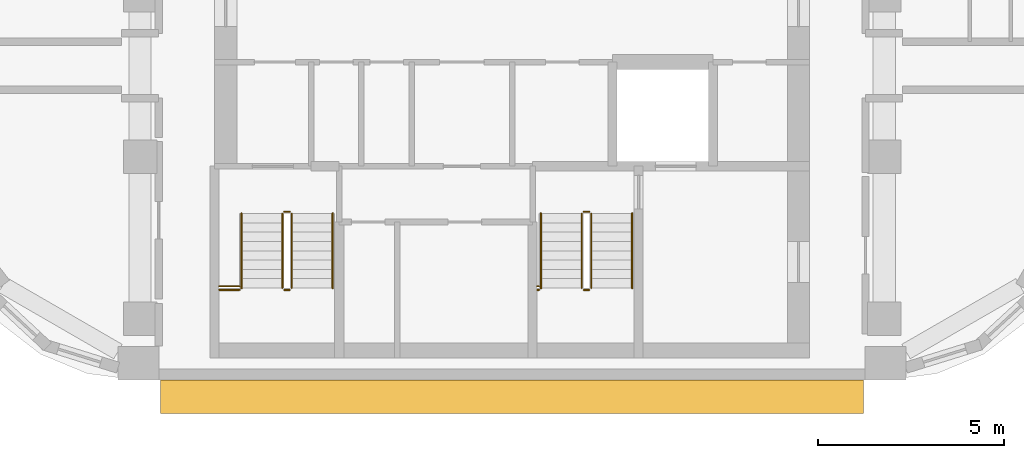
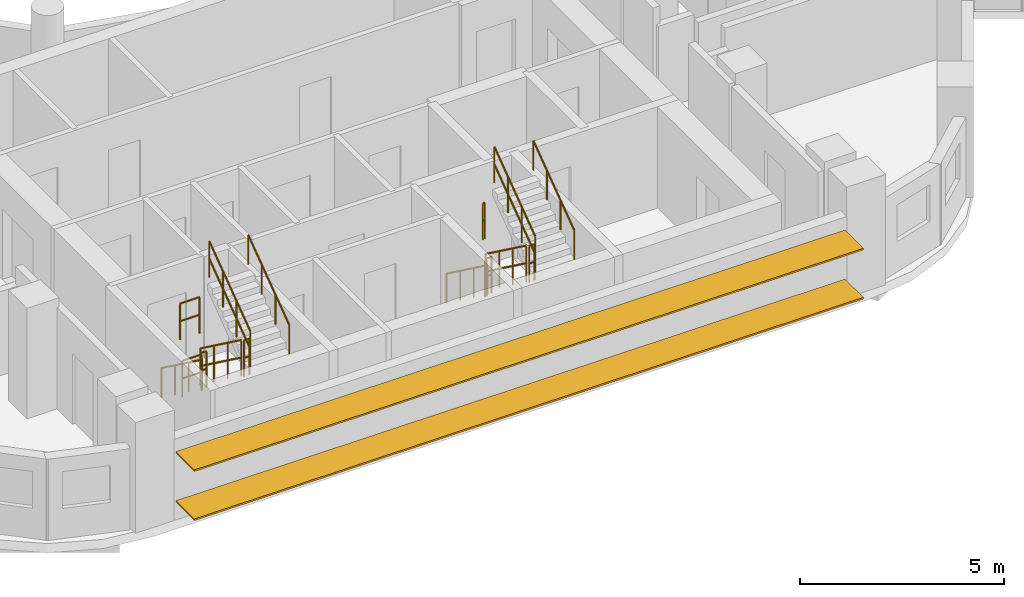
# One storey, part 12 of 14: 16 railings, 2 shading devices.
"""IFC4 building model written with IfcOpenShell, lengths in metres."""

import ifcopenshell
import ifcopenshell.guid

model = None  # the IFC model being written
_history = None  # IfcOwnerHistory: only IFC2X3 demands one
_inside = {}  # id of a spatial element -> (the spatial element, [elements in it])
_under = {}  # id of a project, library or spatial element -> (it, [spatial elements below it])
_declared = {}  # id of a project -> (the project, [libraries it declares])
_typed = {}  # id of a type object -> (the type object, [elements of that type])
_made_of = {}  # id of a material, layer set ... -> (it, [elements and type objects made of it])


def new_model(schema):
    """Start an empty IFC model of exactly this schema.

    Asked for "IFC4X3", IfcOpenShell would pick the latest addendum, in which some entities
    have other attributes; the version numbers below select the first issue.
    IFC2X3 requires an IfcOwnerHistory on every rooted entity: one is made here for all.
    """
    global model, _history
    if schema == "IFC4X3":
        model = ifcopenshell.file(schema_version=(4, 3, 0, 0))
    else:
        model = ifcopenshell.file(schema=schema)
    _inside.clear()
    _under.clear()
    _declared.clear()
    _typed.clear()
    _made_of.clear()
    _history = None
    if model.schema == "IFC2X3":
        org = make("IfcOrganization", Name="unknown")
        user = make(
            "IfcPersonAndOrganization",
            ThePerson=make("IfcPerson", FamilyName="unknown"),
            TheOrganization=org,
        )
        app = make(
            "IfcApplication",
            ApplicationDeveloper=org,
            Version="unknown",
            ApplicationFullName="unknown",
            ApplicationIdentifier="unknown",
        )
        _history = make(
            "IfcOwnerHistory",
            OwningUser=user,
            OwningApplication=app,
            ChangeAction="ADDED",
            CreationDate=0,
        )
    return model


def make(cls, **values):
    """One entity of the class cls with the attributes given. An attribute that is None is left unset."""
    return model.create_entity(
        cls, **{name: value for name, value in values.items() if value is not None}
    )


def rooted(cls, **values):
    """An entity with a GlobalId (a new one), such as an element, a storey or a relation."""
    return make(cls, GlobalId=ifcopenshell.guid.new(), OwnerHistory=_history, **values)


def si_unit(unit_type, name, prefix=None):
    """IfcSIUnit, for example si_unit("LENGTHUNIT", "METRE", prefix="MILLI")."""
    return make("IfcSIUnit", UnitType=unit_type, Prefix=prefix, Name=name)


def assignment(units):
    """IfcUnitAssignment: the units of a project."""
    return None if units is None else make("IfcUnitAssignment", Units=units)


def point(xyz):
    """IfcCartesianPoint."""
    return None if xyz is None else make("IfcCartesianPoint", Coordinates=xyz)


def direction(xyz):
    """IfcDirection."""
    return None if xyz is None else make("IfcDirection", DirectionRatios=xyz)


def frame(location, z_axis=None, x_axis=None):
    """IfcAxis2Placement3D, a coordinate frame: its origin and axes. An axis left out is left unset."""
    return make(
        "IfcAxis2Placement3D",
        Location=point(location),
        Axis=direction(z_axis),
        RefDirection=direction(x_axis),
    )


def frame_2d(location, x_axis=None):
    """IfcAxis2Placement2D, a coordinate frame in the plane: its origin and x axis."""
    return make(
        "IfcAxis2Placement2D", Location=point(location), RefDirection=direction(x_axis)
    )


def origin():
    """The frame at (0, 0, 0) with its axes left unset."""
    return frame((0.0, 0.0, 0.0))


def origin_2d():
    """The frame at (0, 0) in the plane with its x axis left unset."""
    return frame_2d((0.0, 0.0))


def place(relative_to, where):
    """IfcLocalPlacement: puts the frame where relative to a parent placement (None: the world)."""
    return make(
        "IfcLocalPlacement", PlacementRelTo=relative_to, RelativePlacement=where
    )


def context(
    kind, dimensions, precision=None, world=None, true_north=None, identifier=None
):
    """IfcGeometricRepresentationContext, for example the 3D "Model" context."""
    return make(
        "IfcGeometricRepresentationContext",
        ContextIdentifier=identifier,
        ContextType=kind,
        CoordinateSpaceDimension=dimensions,
        Precision=precision,
        WorldCoordinateSystem=world,
        TrueNorth=true_north,
    )


def subcontext(parent, identifier, kind, view, scale=None):
    """IfcGeometricRepresentationSubContext, for example "Body" below "Model"."""
    return make(
        "IfcGeometricRepresentationSubContext",
        ContextIdentifier=identifier,
        ContextType=kind,
        ParentContext=parent,
        TargetScale=scale,
        TargetView=view,
    )


def project(units=None, contexts=None):
    """IfcProject with its units and contexts."""
    return rooted(
        "IfcProject",
        Name="project",
        RepresentationContexts=contexts,
        UnitsInContext=assignment(units),
    )


def spatial(cls, under=None, at=None, **own):
    """A site, building, storey or space (cls), placed at a placement, below another one or the project."""
    s = rooted(cls, ObjectPlacement=at, **own)
    if under is not None:
        _under.setdefault(under.id(), (under, []))[1].append(s)
    return s


def profile(cls, at=None, kind="AREA", **sizes):
    """A parametric profile (cls). Its sizes go by their IFC names, for example OverallWidth=200.0."""
    return make(cls, ProfileType=kind, Position=at, **sizes)


def rectangle(**sizes):
    """IfcRectangleProfileDef."""
    return profile("IfcRectangleProfileDef", **sizes)


def circle(**sizes):
    """IfcCircleProfileDef."""
    return profile("IfcCircleProfileDef", **sizes)


def extrude(swept, where, along, depth):
    """IfcExtrudedAreaSolid: the profile swept, set in the frame where, extruded along a direction by depth."""
    return make(
        "IfcExtrudedAreaSolid",
        SweptArea=swept,
        Position=where,
        ExtrudedDirection=direction(along),
        Depth=depth,
    )


def shape(context_of_items, identifier, shape_type, items):
    """IfcShapeRepresentation: the items that make up one representation, for example the "Body"."""
    return make(
        "IfcShapeRepresentation",
        ContextOfItems=context_of_items,
        RepresentationIdentifier=identifier,
        RepresentationType=shape_type,
        Items=items,
    )


def material(Name=None, Category=None):
    """IfcMaterial."""
    return make("IfcMaterial", Name=Name, Category=Category)


def material_profile(
    of_material, cross_section, Name=None, Category=None, Priority=None
):
    """IfcMaterialProfile: a cross section and its material."""
    return make(
        "IfcMaterialProfile",
        Name=Name,
        Material=of_material,
        Profile=cross_section,
        Priority=Priority,
        Category=Category,
    )


def profile_set(profiles, Name=None, composite=None):
    """IfcMaterialProfileSet."""
    return make(
        "IfcMaterialProfileSet",
        Name=Name,
        MaterialProfiles=profiles,
        CompositeProfile=composite,
    )


def made_of(thing, what):
    """Note that an element or type object is made of a material, layer set ...; save() writes the relation."""
    if what is not None:
        _made_of.setdefault(what.id(), (what, []))[1].append(thing)
    return thing


def type_object(cls, material=None, **own):
    """A type object (cls), such as IfcWallType, which elements share."""
    return made_of(rooted(cls, **own), material)


def element(
    cls,
    number,
    at=None,
    inside=None,
    cuts=None,
    type_object=None,
    material=None,
    context=None,
    identifier="Body",
    shape_type=None,
    held_by="IfcProductDefinitionShape",
    body=None,
    shapes=None,
    **own,
):
    """One element of the class cls, such as IfcWall. Its Tag is "e" and its number.

    at: its placement. inside: the storey or other place that contains it. cuts: it is an
    opening in that element (IfcRelVoidsElement). A single representation is given by context,
    identifier, shape_type and body (its items); several are given by shapes. held_by: the class
    of the entity that holds the representations. save() writes the other relations.
    """
    e = rooted(cls, Tag="e%d" % number, ObjectPlacement=at, **own)
    if body is not None:
        shapes = [shape(context, identifier, shape_type, body)]
    if shapes is not None:
        e.Representation = make(held_by, Representations=shapes)
    if inside is not None:
        _inside.setdefault(inside.id(), (inside, []))[1].append(e)
    if cuts is not None:
        rooted(
            "IfcRelVoidsElement", RelatingBuildingElement=cuts, RelatedOpeningElement=e
        )
    if type_object is not None:
        _typed.setdefault(type_object.id(), (type_object, []))[1].append(e)
    return made_of(e, material)


def aggregate(whole, parts):
    """IfcRelAggregates: a whole, such as a stair, and the parts it consists of."""
    return rooted("IfcRelAggregates", RelatingObject=whole, RelatedObjects=parts)


def save(model, path):
    """Write the relations noted so far, then the file.

    IfcRelAggregates (storeys below a building ...), IfcRelContainedInSpatialStructure (elements
    in a storey), IfcRelDefinesByType, IfcRelAssociatesMaterial and IfcRelDeclares: one each for
    every whole, place, type object, material and project.
    """
    for whole, parts in _under.values():
        aggregate(whole, parts)
    for where, things in _inside.values():
        rooted(
            "IfcRelContainedInSpatialStructure",
            RelatedElements=things,
            RelatingStructure=where,
        )
    for kind, things in _typed.values():
        rooted("IfcRelDefinesByType", RelatedObjects=things, RelatingType=kind)
    for what, things in _made_of.values():
        rooted("IfcRelAssociatesMaterial", RelatedObjects=things, RelatingMaterial=what)
    for by, libraries in _declared.values():
        rooted("IfcRelDeclares", RelatingContext=by, RelatedDefinitions=libraries)
    model.write(path)


model = new_model("IFC4")

# Units and contexts
model_context = context("Model", 3, precision=1e-05, world=origin(), true_north=direction((0.0, 1.0)))
body_context = subcontext(model_context, "Body", "Model", "MODEL_VIEW")
ifc_project = project(units=[si_unit("LENGTHUNIT", "METRE"), si_unit("AREAUNIT", "SQUARE_METRE"), si_unit("VOLUMEUNIT", "CUBIC_METRE"), si_unit("PLANEANGLEUNIT", "RADIAN"), si_unit("MASSUNIT", "GRAM", prefix="KILO")], contexts=[model_context])

# Site, building, storey
site_placement = place(None, origin())
site = spatial("IfcSite", under=ifc_project, at=site_placement, CompositionType="ELEMENT")
building_placement = place(site_placement, origin())
building = spatial("IfcBuilding", under=site, at=building_placement, Name="Nakaniwa Court", CompositionType="ELEMENT")
storey_placement = place(building_placement, frame((0.0, 0.0, 262.5)))
storey = spatial("IfcBuildingStorey", under=building, at=storey_placement, Name="L69", CompositionType="ELEMENT", Elevation=262.5)

# Shading devices
ifc_material_1 = material(Name="Perforated charcoal ceramic louvre blade")
ifc_material_profile = material_profile(ifc_material_1, rectangle(XDim=0.89990234375, YDim=0.050048828125, at=origin_2d()), Name="Perforated ceramic louvre blade")
ifc_profile_set = profile_set([ifc_material_profile], Name="Perforated charcoal ceramic louvre blade")
shading_device_type = type_object("IfcShadingDeviceType", Name="Perforated ceramic louvre blade", PredefinedType="JALOUSIE", material=ifc_profile_set)
for number, where, z_axis, x_axis, name in (
    (1, (70.55078125, 56.89990234375, 0.550048828125), (1.0, 0.0, 0.0), (0.0, 1.0, 0.0), "L69 perforated ceramic louvre blade w26 1"),
    (2, (70.55078125, 56.89990234375, 2.014892578125), (1.0, 0.0, 0.0), (0.0, 1.0, 0.0), "L69 perforated ceramic louvre blade w26 2"),
):
    element("IfcShadingDevice", number, at=place(storey_placement, frame(where, z_axis=z_axis, x_axis=x_axis)), inside=storey, type_object=shading_device_type, Name=name, PredefinedType="JALOUSIE", context=body_context, shape_type="SweptSolid", body=[
        extrude(rectangle(XDim=0.89990234375, YDim=0.050048828125, at=origin_2d()), origin(), (0.0, 0.0, 1.0), 18.892822265625),
    ])

# Railings
ifc_material_2 = material(Name="Black powder coated steel guard", Category="steel")
railing_type_1 = type_object("IfcRailingType", Name="Stair guard 1100", PredefinedType="GUARDRAIL", material=ifc_material_2)
railing_1_placement = place(storey_placement, frame((73.824951171875, 61.824951171875, 0.183349609375)))
element("IfcRailing", 3, at=railing_1_placement, inside=storey, type_object=railing_type_1, Name="L69 ST3 stair guard 1", PredefinedType="GUARDRAIL", context=body_context, shape_type="SweptSolid", body=[
    extrude(circle(Radius=0.02392578125, at=origin_2d()), frame((0.0, 0.0, 1.076171875), z_axis=(0.0, -0.806426902644, 0.591333789573), x_axis=(1.0, 0.0, 0.0)), (0.0, 0.0, 1.0), 2.47998046875),
    extrude(circle(Radius=0.02392578125, at=origin_2d()), frame((0.0, 0.0, 0.550048828125), z_axis=(0.0, -0.806426902644, 0.591333789573), x_axis=(1.0, 0.0, 0.0)), (0.0, 0.0, 1.0), 2.47998046875),
    extrude(circle(Radius=0.02099609375, at=origin_2d()), origin(), (0.0, 0.0, 1.0), 1.052001953125),
    extrude(circle(Radius=0.02099609375, at=origin_2d()), frame((0.0, -0.666748046875, 0.48876953125)), (0.0, 0.0, 1.0), 1.052001953125),
    extrude(circle(Radius=0.02099609375, at=origin_2d()), frame((0.0, -1.333251953125, 0.977783203125)), (0.0, 0.0, 1.0), 1.052001953125),
    extrude(circle(Radius=0.02099609375, at=origin_2d()), frame((0.0, -2.0, 1.466552734375)), (0.0, 0.0, 1.0), 1.052001953125),
])
railing_2_placement = place(storey_placement, frame((73.875, 59.77490234375, 1.64990234375)))
element("IfcRailing", 4, at=railing_2_placement, inside=storey, type_object=railing_type_1, Name="L69 ST3 stair guard 2", PredefinedType="GUARDRAIL", context=body_context, shape_type="SweptSolid", body=[
    extrude(circle(Radius=0.02392578125, at=origin_2d()), frame((0.0, 0.0, 1.076171875), z_axis=(1.0, 0.0, 0.0), x_axis=(0.0, 1.0, 0.0)), (0.0, 0.0, 1.0), 0.14990234375),
    extrude(circle(Radius=0.02392578125, at=origin_2d()), frame((0.0, 0.0, 0.550048828125), z_axis=(1.0, 0.0, 0.0), x_axis=(0.0, 1.0, 0.0)), (0.0, 0.0, 1.0), 0.14990234375),
    extrude(circle(Radius=0.02099609375, at=origin_2d()), origin(), (0.0, 0.0, 1.0), 1.052001953125),
    extrude(circle(Radius=0.02099609375, at=origin_2d()), frame((0.14990234375, 0.0, 0.0)), (0.0, 0.0, 1.0), 1.052001953125),
])
railing_3_placement = place(storey_placement, frame((74.074951171875, 59.824951171875, 1.833251953125)))
element("IfcRailing", 5, at=railing_3_placement, inside=storey, type_object=railing_type_1, Name="L69 ST3 stair guard 3", PredefinedType="GUARDRAIL", context=body_context, shape_type="SweptSolid", body=[
    extrude(circle(Radius=0.02392578125, at=origin_2d()), frame((0.0, 0.0, 1.076171875), z_axis=(0.0, 0.806379959628, 0.591397802423), x_axis=(-1.0, 0.0, 0.0)), (0.0, 0.0, 1.0), 2.480224609375),
    extrude(circle(Radius=0.02392578125, at=origin_2d()), frame((0.0, 0.0, 0.550048828125), z_axis=(0.0, 0.806379959628, 0.591397802423), x_axis=(-1.0, 0.0, 0.0)), (0.0, 0.0, 1.0), 2.480224609375),
    extrude(circle(Radius=0.02099609375, at=origin_2d()), origin(), (0.0, 0.0, 1.0), 1.052001953125),
    extrude(circle(Radius=0.02099609375, at=origin_2d()), frame((0.0, 0.666748046875, 0.489013671875)), (0.0, 0.0, 1.0), 1.052001953125),
    extrude(circle(Radius=0.02099609375, at=origin_2d()), frame((0.0, 1.333251953125, 0.977783203125)), (0.0, 0.0, 1.0), 1.052001953125),
    extrude(circle(Radius=0.02099609375, at=origin_2d()), frame((0.0, 2.0, 1.466796875)), (0.0, 0.0, 1.0), 1.052001953125),
])
railing_4_placement = place(storey_placement, frame((73.875, 61.875, 0.0)))
element("IfcRailing", 6, at=railing_4_placement, inside=storey, type_object=railing_type_1, Name="L69 ST3 stair guard 4", PredefinedType="GUARDRAIL", context=body_context, shape_type="SweptSolid", body=[
    extrude(circle(Radius=0.02392578125, at=origin_2d()), frame((0.0, 0.0, 1.076171875), z_axis=(1.0, 0.0, 0.0), x_axis=(0.0, 1.0, 0.0)), (0.0, 0.0, 1.0), 0.14990234375),
    extrude(circle(Radius=0.02392578125, at=origin_2d()), frame((0.0, 0.0, 0.550048828125), z_axis=(1.0, 0.0, 0.0), x_axis=(0.0, 1.0, 0.0)), (0.0, 0.0, 1.0), 0.14990234375),
    extrude(circle(Radius=0.02099609375, at=origin_2d()), origin(), (0.0, 0.0, 1.0), 1.052001953125),
    extrude(circle(Radius=0.02099609375, at=origin_2d()), frame((0.14990234375, 0.0, 0.0)), (0.0, 0.0, 1.0), 1.052001953125),
])
for number, where, name in (
    (7, (72.125, 59.77490234375, 1.64990234375), "L69 ST3 landing side guard 1W"),
    (8, (72.125, 59.875, 3.300048828125), "L69 ST3 floor edge guard 1W"),
):
    element("IfcRailing", number, at=place(storey_placement, frame(where)), inside=storey, type_object=railing_type_1, Name=name, PredefinedType="GUARDRAIL", context=body_context, shape_type="SweptSolid", body=[
        extrude(circle(Radius=0.02392578125, at=origin_2d()), frame((0.0, 0.0, 1.076171875), z_axis=(1.0, 0.0, 0.0), x_axis=(0.0, 1.0, 0.0)), (0.0, 0.0, 1.0), 0.550048828125),
        extrude(circle(Radius=0.02392578125, at=origin_2d()), frame((0.0, 0.0, 0.550048828125), z_axis=(1.0, 0.0, 0.0), x_axis=(0.0, 1.0, 0.0)), (0.0, 0.0, 1.0), 0.550048828125),
        extrude(circle(Radius=0.02099609375, at=origin_2d()), origin(), (0.0, 0.0, 1.0), 1.052001953125),
        extrude(circle(Radius=0.02099609375, at=origin_2d()), frame((0.550048828125, 0.0, 0.0)), (0.0, 0.0, 1.0), 1.052001953125),
    ])
railing_5_placement = place(storey_placement, frame((81.875, 61.824951171875, 0.183349609375)))
element("IfcRailing", 9, at=railing_5_placement, inside=storey, type_object=railing_type_1, Name="L69 ST4 stair guard 1", PredefinedType="GUARDRAIL", context=body_context, shape_type="SweptSolid", body=[
    extrude(circle(Radius=0.02392578125, at=origin_2d()), frame((0.0, 0.0, 1.076171875), z_axis=(0.0, -0.806426902644, 0.591333789573), x_axis=(1.0, 0.0, 0.0)), (0.0, 0.0, 1.0), 2.47998046875),
    extrude(circle(Radius=0.02392578125, at=origin_2d()), frame((0.0, 0.0, 0.550048828125), z_axis=(0.0, -0.806426902644, 0.591333789573), x_axis=(1.0, 0.0, 0.0)), (0.0, 0.0, 1.0), 2.47998046875),
    extrude(circle(Radius=0.02099609375, at=origin_2d()), origin(), (0.0, 0.0, 1.0), 1.052001953125),
    extrude(circle(Radius=0.02099609375, at=origin_2d()), frame((0.0, -0.666748046875, 0.48876953125)), (0.0, 0.0, 1.0), 1.052001953125),
    extrude(circle(Radius=0.02099609375, at=origin_2d()), frame((0.0, -1.333251953125, 0.977783203125)), (0.0, 0.0, 1.0), 1.052001953125),
    extrude(circle(Radius=0.02099609375, at=origin_2d()), frame((0.0, -2.0, 1.466552734375)), (0.0, 0.0, 1.0), 1.052001953125),
])
railing_6_placement = place(storey_placement, frame((81.925048828125, 59.77490234375, 1.64990234375)))
element("IfcRailing", 10, at=railing_6_placement, inside=storey, type_object=railing_type_1, Name="L69 ST4 stair guard 2", PredefinedType="GUARDRAIL", context=body_context, shape_type="SweptSolid", body=[
    extrude(circle(Radius=0.02392578125, at=origin_2d()), frame((0.0, 0.0, 1.076171875), z_axis=(1.0, 0.0, 0.0), x_axis=(0.0, 1.0, 0.0)), (0.0, 0.0, 1.0), 0.14990234375),
    extrude(circle(Radius=0.02392578125, at=origin_2d()), frame((0.0, 0.0, 0.550048828125), z_axis=(1.0, 0.0, 0.0), x_axis=(0.0, 1.0, 0.0)), (0.0, 0.0, 1.0), 0.14990234375),
    extrude(circle(Radius=0.02099609375, at=origin_2d()), origin(), (0.0, 0.0, 1.0), 1.052001953125),
    extrude(circle(Radius=0.02099609375, at=origin_2d()), frame((0.14990234375, 0.0, 0.0)), (0.0, 0.0, 1.0), 1.052001953125),
])
railing_7_placement = place(storey_placement, frame((82.125, 59.824951171875, 1.833251953125)))
element("IfcRailing", 11, at=railing_7_placement, inside=storey, type_object=railing_type_1, Name="L69 ST4 stair guard 3", PredefinedType="GUARDRAIL", context=body_context, shape_type="SweptSolid", body=[
    extrude(circle(Radius=0.02392578125, at=origin_2d()), frame((0.0, 0.0, 1.076171875), z_axis=(0.0, 0.806379959628, 0.591397802423), x_axis=(-1.0, 0.0, 0.0)), (0.0, 0.0, 1.0), 2.480224609375),
    extrude(circle(Radius=0.02392578125, at=origin_2d()), frame((0.0, 0.0, 0.550048828125), z_axis=(0.0, 0.806379959628, 0.591397802423), x_axis=(-1.0, 0.0, 0.0)), (0.0, 0.0, 1.0), 2.480224609375),
    extrude(circle(Radius=0.02099609375, at=origin_2d()), origin(), (0.0, 0.0, 1.0), 1.052001953125),
    extrude(circle(Radius=0.02099609375, at=origin_2d()), frame((0.0, 0.666748046875, 0.489013671875)), (0.0, 0.0, 1.0), 1.052001953125),
    extrude(circle(Radius=0.02099609375, at=origin_2d()), frame((0.0, 1.333251953125, 0.977783203125)), (0.0, 0.0, 1.0), 1.052001953125),
    extrude(circle(Radius=0.02099609375, at=origin_2d()), frame((0.0, 2.0, 1.466796875)), (0.0, 0.0, 1.0), 1.052001953125),
])
railing_8_placement = place(storey_placement, frame((81.925048828125, 61.875, 0.0)))
element("IfcRailing", 12, at=railing_8_placement, inside=storey, type_object=railing_type_1, Name="L69 ST4 stair guard 4", PredefinedType="GUARDRAIL", context=body_context, shape_type="SweptSolid", body=[
    extrude(circle(Radius=0.02392578125, at=origin_2d()), frame((0.0, 0.0, 1.076171875), z_axis=(1.0, 0.0, 0.0), x_axis=(0.0, 1.0, 0.0)), (0.0, 0.0, 1.0), 0.14990234375),
    extrude(circle(Radius=0.02392578125, at=origin_2d()), frame((0.0, 0.0, 0.550048828125), z_axis=(1.0, 0.0, 0.0), x_axis=(0.0, 1.0, 0.0)), (0.0, 0.0, 1.0), 0.14990234375),
    extrude(circle(Radius=0.02099609375, at=origin_2d()), origin(), (0.0, 0.0, 1.0), 1.052001953125),
    extrude(circle(Radius=0.02099609375, at=origin_2d()), frame((0.14990234375, 0.0, 0.0)), (0.0, 0.0, 1.0), 1.052001953125),
])
for number, where, name in (
    (13, (80.675048828125, 59.77490234375, 1.64990234375), "L69 ST4 landing side guard 1W"),
    (14, (80.675048828125, 59.875, 3.300048828125), "L69 ST4 floor edge guard 1W"),
):
    element("IfcRailing", number, at=place(storey_placement, frame(where)), inside=storey, type_object=railing_type_1, Name=name, PredefinedType="GUARDRAIL", context=body_context, shape_type="SweptSolid", body=[
        extrude(circle(Radius=0.02392578125, at=origin_2d()), frame((0.0, 0.0, 1.076171875), z_axis=(1.0, 0.0, 0.0), x_axis=(0.0, 1.0, 0.0)), (0.0, 0.0, 1.0), 0.050048828125),
        extrude(circle(Radius=0.02392578125, at=origin_2d()), frame((0.0, 0.0, 0.550048828125), z_axis=(1.0, 0.0, 0.0), x_axis=(0.0, 1.0, 0.0)), (0.0, 0.0, 1.0), 0.050048828125),
        extrude(circle(Radius=0.02099609375, at=origin_2d()), origin(), (0.0, 0.0, 1.0), 1.052001953125),
        extrude(circle(Radius=0.02099609375, at=origin_2d()), frame((0.050048828125, 0.0, 0.0)), (0.0, 0.0, 1.0), 1.052001953125),
    ])
ifc_material_3 = material(Name="Black powder coated steel handrail", Category="steel")
railing_type_2 = type_object("IfcRailingType", Name="Stair handrail 900", PredefinedType="HANDRAIL", material=ifc_material_3)
railing_9_placement = place(storey_placement, frame((72.72509765625, 61.824951171875, 0.183349609375)))
element("IfcRailing", 15, at=railing_9_placement, inside=storey, type_object=railing_type_2, Name="L69 ST3 stair handrail 1", PredefinedType="HANDRAIL", context=body_context, shape_type="SweptSolid", body=[
    extrude(circle(Radius=0.02392578125, at=origin_2d()), frame((0.0, 0.0, 0.8759765625), z_axis=(0.0, -0.806426902644, 0.591333789573), x_axis=(1.0, 0.0, 0.0)), (0.0, 0.0, 1.0), 2.47998046875),
    extrude(circle(Radius=0.02099609375, at=origin_2d()), origin(), (0.0, 0.0, 1.0), 0.851806640625),
    extrude(circle(Radius=0.02099609375, at=origin_2d()), frame((0.0, -0.666748046875, 0.48876953125)), (0.0, 0.0, 1.0), 0.851806640625),
    extrude(circle(Radius=0.02099609375, at=origin_2d()), frame((0.0, -1.333251953125, 0.977783203125)), (0.0, 0.0, 1.0), 0.851806640625),
    extrude(circle(Radius=0.02099609375, at=origin_2d()), frame((0.0, -2.0, 1.466552734375)), (0.0, 0.0, 1.0), 0.851806640625),
])
railing_10_placement = place(storey_placement, frame((75.175048828125, 59.824951171875, 1.833251953125)))
element("IfcRailing", 16, at=railing_10_placement, inside=storey, type_object=railing_type_2, Name="L69 ST3 stair handrail 2", PredefinedType="HANDRAIL", context=body_context, shape_type="SweptSolid", body=[
    extrude(circle(Radius=0.02392578125, at=origin_2d()), frame((0.0, 0.0, 0.8759765625), z_axis=(0.0, 0.806379959628, 0.591397802423), x_axis=(-1.0, 0.0, 0.0)), (0.0, 0.0, 1.0), 2.480224609375),
    extrude(circle(Radius=0.02099609375, at=origin_2d()), origin(), (0.0, 0.0, 1.0), 0.851806640625),
    extrude(circle(Radius=0.02099609375, at=origin_2d()), frame((0.0, 0.666748046875, 0.489013671875)), (0.0, 0.0, 1.0), 0.851806640625),
    extrude(circle(Radius=0.02099609375, at=origin_2d()), frame((0.0, 1.333251953125, 0.977783203125)), (0.0, 0.0, 1.0), 0.851806640625),
    extrude(circle(Radius=0.02099609375, at=origin_2d()), frame((0.0, 2.0, 1.466796875)), (0.0, 0.0, 1.0), 0.851806640625),
])
railing_11_placement = place(storey_placement, frame((80.77490234375, 61.824951171875, 0.183349609375)))
element("IfcRailing", 17, at=railing_11_placement, inside=storey, type_object=railing_type_2, Name="L69 ST4 stair handrail 1", PredefinedType="HANDRAIL", context=body_context, shape_type="SweptSolid", body=[
    extrude(circle(Radius=0.02392578125, at=origin_2d()), frame((0.0, 0.0, 0.8759765625), z_axis=(0.0, -0.806426902644, 0.591333789573), x_axis=(1.0, 0.0, 0.0)), (0.0, 0.0, 1.0), 2.47998046875),
    extrude(circle(Radius=0.02099609375, at=origin_2d()), origin(), (0.0, 0.0, 1.0), 0.851806640625),
    extrude(circle(Radius=0.02099609375, at=origin_2d()), frame((0.0, -0.666748046875, 0.48876953125)), (0.0, 0.0, 1.0), 0.851806640625),
    extrude(circle(Radius=0.02099609375, at=origin_2d()), frame((0.0, -1.333251953125, 0.977783203125)), (0.0, 0.0, 1.0), 0.851806640625),
    extrude(circle(Radius=0.02099609375, at=origin_2d()), frame((0.0, -2.0, 1.466552734375)), (0.0, 0.0, 1.0), 0.851806640625),
])
railing_12_placement = place(storey_placement, frame((83.22509765625, 59.824951171875, 1.833251953125)))
element("IfcRailing", 18, at=railing_12_placement, inside=storey, type_object=railing_type_2, Name="L69 ST4 stair handrail 2", PredefinedType="HANDRAIL", context=body_context, shape_type="SweptSolid", body=[
    extrude(circle(Radius=0.02392578125, at=origin_2d()), frame((0.0, 0.0, 0.8759765625), z_axis=(0.0, 0.806379959628, 0.591397802423), x_axis=(-1.0, 0.0, 0.0)), (0.0, 0.0, 1.0), 2.480224609375),
    extrude(circle(Radius=0.02099609375, at=origin_2d()), origin(), (0.0, 0.0, 1.0), 0.851806640625),
    extrude(circle(Radius=0.02099609375, at=origin_2d()), frame((0.0, 0.666748046875, 0.489013671875)), (0.0, 0.0, 1.0), 0.851806640625),
    extrude(circle(Radius=0.02099609375, at=origin_2d()), frame((0.0, 1.333251953125, 0.977783203125)), (0.0, 0.0, 1.0), 0.851806640625),
    extrude(circle(Radius=0.02099609375, at=origin_2d()), frame((0.0, 2.0, 1.466796875)), (0.0, 0.0, 1.0), 0.851806640625),
])

save(model, "model.ifc")
